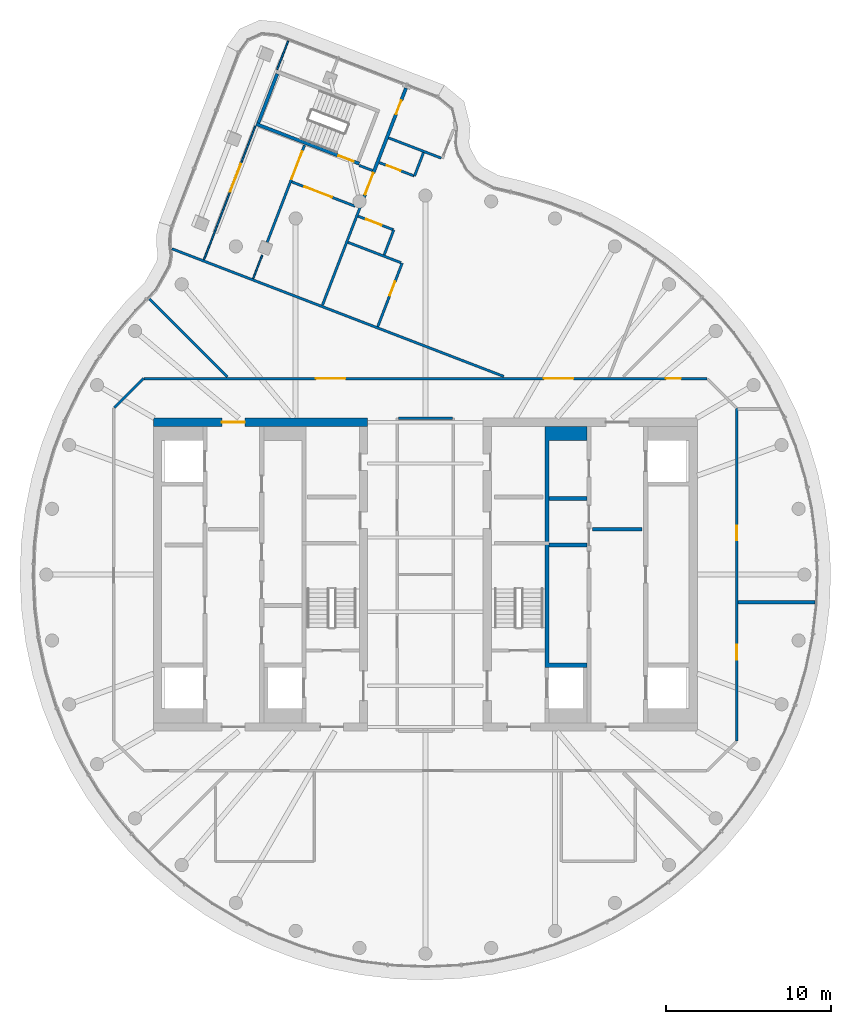
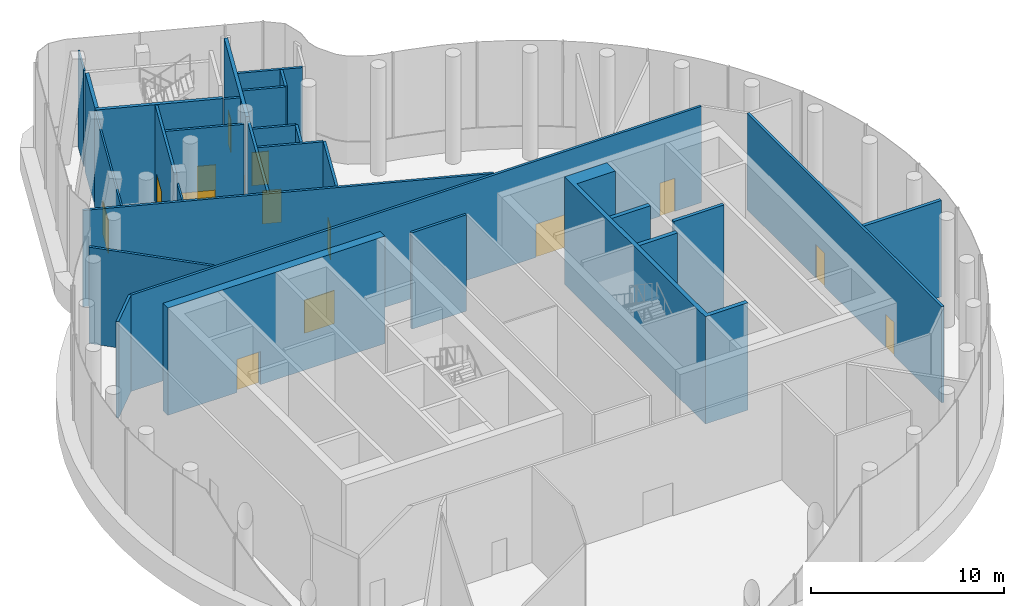
# One storey, part 10 of 12: 29 walls, 15 doors, 15 openings.
"""IFC4 building model written with IfcOpenShell, lengths in metres."""

from ifc_helpers import new_model, si_unit, direction, frame, frame_2d, origin, place, context, subcontext, project, spatial, polyline, rectangle, outline, extrude, material, layer, layer_set, type_object, element, fill, save


model = new_model("IFC4")

# Units and contexts
model_context = context("Model", 3, precision=1e-05, world=origin(), true_north=direction((0.0, 1.0)))
body_context = subcontext(model_context, "Body", "Model", "MODEL_VIEW")
ifc_project = project(units=[si_unit("LENGTHUNIT", "METRE"), si_unit("AREAUNIT", "SQUARE_METRE"), si_unit("VOLUMEUNIT", "CUBIC_METRE"), si_unit("PLANEANGLEUNIT", "RADIAN"), si_unit("MASSUNIT", "GRAM", prefix="KILO")], contexts=[model_context])

# Site, building, storey
site_placement = place(None, origin())
site = spatial("IfcSite", under=ifc_project, at=site_placement, CompositionType="ELEMENT")
building_placement = place(site_placement, origin())
building = spatial("IfcBuilding", under=site, at=building_placement, Name="Tamarind Cross Interchange Tower", CompositionType="ELEMENT")
storey_placement = place(building_placement, frame((0.0, 0.0, 287.39990234375)))
storey = spatial("IfcBuildingStorey", under=building, at=storey_placement, Name="L72", CompositionType="ELEMENT", Elevation=287.39990234375)

# Wall, opening, door
ifc_material_1 = material(Name="Concrete C50", Category="concrete")
ifc_layer_1 = layer(ifc_material_1, 0.5)
ifc_layer_set_1 = layer_set([ifc_layer_1], Name="Concrete C50")
wall_type_1 = type_object("IfcWallType", Name="Core wall 500 mm Concrete C50", PredefinedType="SHEAR", material=ifc_layer_set_1)
wall_1_placement = place(storey_placement, frame((-16.5, 9.25, 0.0), z_axis=(0.0, 0.0, 1.0), x_axis=(1.0, 0.0, 0.0)))
wall_1 = element("IfcWall", 1, at=wall_1_placement, inside=storey, type_object=wall_type_1, Name="Core wall CWL-L72-W-N", PredefinedType="SHEAR", context=body_context, shape_type="SweptSolid", body=[
    extrude(rectangle(XDim=13.0, YDim=0.5, at=frame_2d((6.5, 0.0))), origin(), (0.0, 0.0, 1.0), 6.800048828125),
])
opening_1_placement = place(wall_1_placement, frame((4.14990234375, 0.0, 0.0)))
opening_1 = element("IfcOpeningElement", 2, at=opening_1_placement, cuts=wall_1, Name="Opening DCW3", PredefinedType="OPENING", context=body_context, shape_type="SweptSolid", body=[
    extrude(rectangle(XDim=1.39990234375, YDim=2.10009765625, at=frame_2d((0.699951171875, 1.050048828125))), frame((0.0, 0.260009765625, 0.0), z_axis=(0.0, -1.0, 0.0), x_axis=(1.0, 0.0, 0.0)), (0.0, 0.0, 1.0), 0.52001953125),
])
ifc_material_2 = material(Name="Steel, fire-resisting", Category="steel")
door_type_1 = type_object("IfcDoorType", Name="Core fire door 1400 x 2100 FD90", OperationType="SINGLE_SWING_LEFT", PredefinedType="DOOR", material=ifc_material_2)
door_1_placement = place(opening_1_placement, origin())
door_1 = element("IfcDoor", 3, at=door_1_placement, inside=storey, type_object=door_type_1, Name="L72 observation lobby door", OperationType="SINGLE_SWING_LEFT", OverallHeight=2.10009765625, OverallWidth=1.39990234375, PredefinedType="DOOR", context=body_context, shape_type="SweptSolid", body=[
    extrude(rectangle(XDim=1.39990234375, YDim=2.10009765625, at=frame_2d((0.699951171875, 1.050048828125))), frame((0.0, 0.02490234375, 0.0), z_axis=(0.0, -1.0, 0.0), x_axis=(1.0, 0.0, 0.0)), (0.0, 0.0, 1.0), 0.050048828125),
])
fill(opening_1, door_1)

# Wall
ifc_layer_2 = layer(ifc_material_1, 0.25)
ifc_layer_set_2 = layer_set([ifc_layer_2], Name="Concrete C50")
wall_type_2 = type_object("IfcWallType", Name="Core web wall 250 mm Concrete C50", PredefinedType="SHEAR", material=ifc_layer_set_2)
wall_2_placement = place(storey_placement, origin())
element("IfcWall", 4, at=wall_2_placement, inside=storey, type_object=wall_type_2, Name="Core wall CWL-L72-E-BN", PredefinedType="SHEAR", context=body_context, shape_type="SweptSolid", body=[
    extrude(outline(polyline([(9.800048828125, -5.625), (9.800048828125, -5.375), (7.5, -5.375), (7.5, 8.125), (9.800048828125, 8.125), (9.800048828125, 9.0), (7.5, 9.0), (7.25, 9.0), (7.25, -5.625), (7.5, -5.625), (9.800048828125, -5.625)])), origin(), (0.0, 0.0, 1.0), 6.800048828125),
])

# Wall, opening, door
ifc_material_3 = material(Name="Gypsum board partition on steel studs", Category="steel")
ifc_layer_3 = layer(ifc_material_3, 0.10009765625)
ifc_layer_set_3 = layer_set([ifc_layer_3], Name="Gypsum board partition on steel studs")
wall_type_3 = type_object("IfcWallType", Name="Partition 100 mm EI 90", PredefinedType="PARTITIONING", material=ifc_layer_set_3)
wall_3_placement = place(storey_placement, frame((-13.433349609375, 19.110595703125, 0.0), z_axis=(0.0, 0.0, 1.0), x_axis=(0.359078974294, 0.933307178918, 0.0)))
wall_3 = element("IfcWall", 5, at=wall_3_placement, inside=storey, type_object=wall_type_3, Name="Partition L72-025", PredefinedType="PARTITIONING", context=body_context, shape_type="SweptSolid", body=[
    extrude(rectangle(XDim=8.6796875, YDim=0.10009765625, at=frame_2d((4.33984375, 0.0))), origin(), (0.0, 0.0, 1.0), 6.10009765625),
])
opening_2_placement = place(wall_3_placement, frame((4.419921875, 0.0, 0.0)))
opening_2 = element("IfcOpeningElement", 6, at=opening_2_placement, cuts=wall_3, Name="Opening D11", PredefinedType="OPENING", context=body_context, shape_type="SweptSolid", body=[
    extrude(rectangle(XDim=1.800048828125, YDim=2.10009765625, at=frame_2d((0.89990234375, 1.050048828125))), frame((0.0, 0.06005859375, 0.0), z_axis=(0.0, -1.0, 0.0), x_axis=(1.0, 0.0, 0.0)), (0.0, 0.0, 1.0), 0.1201171875),
])
ifc_material_4 = material(Name="Fire-resisting door set")
door_type_2 = type_object("IfcDoorType", Name="Interior door 1800 x 2100 FD60S", OperationType="DOUBLE_DOOR_SINGLE_SWING", PredefinedType="DOOR", material=ifc_material_4)
door_2_placement = place(opening_2_placement, origin())
door_2 = element("IfcDoor", 7, at=door_2_placement, inside=storey, type_object=door_type_2, Name="Door D11", OperationType="DOUBLE_DOOR_SINGLE_SWING", OverallHeight=2.10009765625, OverallWidth=1.800048828125, PredefinedType="DOOR", context=body_context, shape_type="SweptSolid", body=[
    extrude(rectangle(XDim=1.800048828125, YDim=2.10009765625, at=frame_2d((0.89990234375, 1.050048828125))), frame((0.0, 0.02490234375, 0.0), z_axis=(0.0, -1.0, 0.0), x_axis=(1.0, 0.0, 0.0)), (0.0, 0.0, 1.0), 0.050048828125),
])
fill(opening_2, door_2)

# Walls
wall_4_placement = place(storey_placement, frame((-8.9951171875, 30.646240234375, 0.0), z_axis=(0.0, 0.0, 1.0), x_axis=(0.358996677254, 0.933338837572, 0.0)))
element("IfcWall", 8, at=wall_4_placement, inside=storey, type_object=wall_type_3, Name="Partition L72-026", PredefinedType="PARTITIONING", context=body_context, shape_type="SweptSolid", body=[
    extrude(rectangle(XDim=1.859375, YDim=0.10009765625, at=frame_2d((0.9296875, 0.0))), origin(), (0.0, 0.0, 1.0), 6.10009765625),
])
wall_5_placement = place(storey_placement, frame((-10.4462890625, 17.961669921875, 0.0), z_axis=(0.0, 0.0, 1.0), x_axis=(0.359075840583, 0.933308384571, 0.0)))
element("IfcWall", 9, at=wall_5_placement, inside=storey, type_object=wall_type_3, Name="Partition L72-027", PredefinedType="PARTITIONING", context=body_context, shape_type="SweptSolid", body=[
    extrude(rectangle(XDim=1.521728515625, YDim=0.10009765625, at=frame_2d((0.7607421875, 0.0))), origin(), (0.0, 0.0, 1.0), 6.10009765625),
])
ifc_layer_4 = layer(ifc_material_3, 0.14990234375)
ifc_layer_set_4 = layer_set([ifc_layer_4], Name="Gypsum board partition on steel studs")
wall_type_4 = type_object("IfcWallType", Name="Partition 150 mm EI 120", PredefinedType="PARTITIONING", material=ifc_layer_set_4)
wall_6_placement = place(storey_placement, frame((-16.7412109375, 16.7412109375, 0.0), z_axis=(0.0, 0.0, 1.0), x_axis=(0.707106781187, -0.707106781187, 0.0)))
element("IfcWall", 10, at=wall_6_placement, inside=storey, type_object=wall_type_4, Name="Partition L72-002", PredefinedType="PARTITIONING", context=body_context, shape_type="SweptSolid", body=[
    extrude(rectangle(XDim=6.691650390625, YDim=0.14990234375, at=frame_2d((3.345703125, 0.0))), origin(), (0.0, 0.0, 1.0), 6.10009765625),
])
wall_7_placement = place(storey_placement, frame((-15.381103515625, 19.774658203125, 0.0), z_axis=(0.0, 0.0, 1.0), x_axis=(0.933309154951, -0.359073838206, 0.0)))
element("IfcWall", 11, at=wall_7_placement, inside=storey, type_object=wall_type_4, Name="Partition L72-005", PredefinedType="PARTITIONING", context=body_context, shape_type="SweptSolid", body=[
    extrude(rectangle(XDim=21.58056640625, YDim=0.14990234375, at=frame_2d((10.790283203125, 0.0))), origin(), (0.0, 0.0, 1.0), 6.10009765625),
])

# Wall, opening, door
wall_8_placement = place(storey_placement, frame((-8.10693359375, 23.8330078125, 0.0), z_axis=(0.0, 0.0, 1.0), x_axis=(0.933371527791, -0.358911675916, 0.0)))
wall_8 = element("IfcWall", 12, at=wall_8_placement, inside=storey, type_object=wall_type_4, Name="Partition L72-006", PredefinedType="PARTITIONING", context=body_context, shape_type="SweptSolid", body=[
    extrude(rectangle(XDim=4.126220703125, YDim=0.14990234375, at=frame_2d((2.06298828125, 0.0))), origin(), (0.0, 0.0, 1.0), 6.10009765625),
])
opening_3_placement = place(wall_8_placement, frame((0.824951171875, 0.0, 0.0)))
opening_3 = element("IfcOpeningElement", 13, at=opening_3_placement, cuts=wall_8, Name="Opening D01", PredefinedType="OPENING", context=body_context, shape_type="SweptSolid", body=[
    extrude(rectangle(XDim=1.800048828125, YDim=2.10009765625, at=frame_2d((0.89990234375, 1.050048828125))), frame((0.0, 0.0849609375, 0.0), z_axis=(0.0, -1.0, 0.0), x_axis=(1.0, 0.0, 0.0)), (0.0, 0.0, 1.0), 0.169921875),
])
door_3_placement = place(opening_3_placement, frame((1.800048828125, 0.0, 0.0), z_axis=(0.0, 0.0, 1.0), x_axis=(-1.0, 0.0, 0.0)))
door_3 = element("IfcDoor", 14, at=door_3_placement, inside=storey, type_object=door_type_2, Name="Door D01", OperationType="DOUBLE_DOOR_SINGLE_SWING", OverallHeight=2.10009765625, OverallWidth=1.800048828125, PredefinedType="DOOR", context=body_context, shape_type="SweptSolid", body=[
    extrude(rectangle(XDim=1.800048828125, YDim=2.10009765625, at=frame_2d((0.89990234375, 1.050048828125))), frame((0.0, 0.02490234375, 0.0), z_axis=(0.0, -1.0, 0.0), x_axis=(1.0, 0.0, 0.0)), (0.0, 0.0, 1.0), 0.050048828125),
])
fill(opening_3, door_3)

# Wall
wall_9_placement = place(storey_placement, frame((-4.697021484375, 20.1640625, 0.0), z_axis=(0.0, 0.0, 1.0), x_axis=(0.933325536288, -0.359031256735, 0.0)))
element("IfcWall", 15, at=wall_9_placement, inside=storey, type_object=wall_type_4, Name="Partition L72-007", PredefinedType="PARTITIONING", context=body_context, shape_type="SweptSolid", body=[
    extrude(rectangle(XDim=3.448974609375, YDim=0.14990234375, at=frame_2d((1.724609375, 0.0))), origin(), (0.0, 0.0, 1.0), 6.10009765625),
])

# Wall, opening, door
wall_10_placement = place(storey_placement, frame((-4.082275390625, 21.749267578125, 0.0), z_axis=(0.0, 0.0, 1.0), x_axis=(0.933258033254, -0.359206686139, 0.0)))
wall_10 = element("IfcWall", 16, at=wall_10_placement, inside=storey, type_object=wall_type_4, Name="Partition L72-008", PredefinedType="PARTITIONING", context=body_context, shape_type="SweptSolid", body=[
    extrude(rectangle(XDim=2.300048828125, YDim=0.14990234375, at=frame_2d((1.14990234375, 0.0))), origin(), (0.0, 0.0, 1.0), 6.10009765625),
])
opening_4_placement = place(wall_10_placement, frame((0.52001953125, 0.0, 0.0)))
opening_4 = element("IfcOpeningElement", 17, at=opening_4_placement, cuts=wall_10, Name="Opening D02", PredefinedType="OPENING", context=body_context, shape_type="SweptSolid", body=[
    extrude(rectangle(XDim=1.0, YDim=2.10009765625, at=frame_2d((0.5, 1.050048828125))), frame((0.0, 0.0849609375, 0.0), z_axis=(0.0, -1.0, 0.0), x_axis=(1.0, 0.0, 0.0)), (0.0, 0.0, 1.0), 0.169921875),
])
door_type_3 = type_object("IfcDoorType", Name="Interior door 1000 x 2100 FD60S", OperationType="SINGLE_SWING_LEFT", PredefinedType="DOOR", material=ifc_material_4)
door_4_placement = place(opening_4_placement, frame((1.0, 0.0, 0.0), z_axis=(0.0, 0.0, 1.0), x_axis=(-1.0, 0.0, 0.0)))
door_4 = element("IfcDoor", 18, at=door_4_placement, inside=storey, type_object=door_type_3, Name="Door D02", OperationType="SINGLE_SWING_LEFT", OverallHeight=2.10009765625, OverallWidth=1.0, PredefinedType="DOOR", context=body_context, shape_type="SweptSolid", body=[
    extrude(rectangle(XDim=1.0, YDim=2.10009765625, at=frame_2d((0.5, 1.050048828125))), frame((0.0, 0.02490234375, 0.0), z_axis=(0.0, -1.0, 0.0), x_axis=(1.0, 0.0, 0.0)), (0.0, 0.0, 1.0), 0.050048828125),
])
fill(opening_4, door_4)

# Wall
wall_11_placement = place(storey_placement, frame((-4.01171875, 24.82861328125, 0.0), z_axis=(0.0, 0.0, 1.0), x_axis=(0.933367559917, -0.358921994443, 0.0)))
element("IfcWall", 19, at=wall_11_placement, inside=storey, type_object=wall_type_4, Name="Partition L72-009", PredefinedType="PARTITIONING", context=body_context, shape_type="SweptSolid", body=[
    extrude(rectangle(XDim=0.85986328125, YDim=0.14990234375, at=frame_2d((0.429931640625, 0.0))), origin(), (0.0, 0.0, 1.0), 6.10009765625),
])

# Wall, opening, door
wall_12_placement = place(storey_placement, frame((-2.802001953125, 25.00634765625, 0.0), z_axis=(0.0, 0.0, 1.0), x_axis=(0.933417507209, -0.358792080787, 0.0)))
wall_12 = element("IfcWall", 20, at=wall_12_placement, inside=storey, type_object=wall_type_4, Name="Partition L72-010", PredefinedType="PARTITIONING", context=body_context, shape_type="SweptSolid", body=[
    extrude(rectangle(XDim=2.274658203125, YDim=0.14990234375, at=frame_2d((1.13720703125, 0.0))), origin(), (0.0, 0.0, 1.0), 6.10009765625),
])
opening_5_placement = place(wall_12_placement, frame((0.4951171875, 0.0, 0.0)))
opening_5 = element("IfcOpeningElement", 21, at=opening_5_placement, cuts=wall_12, Name="Opening D03", PredefinedType="OPENING", context=body_context, shape_type="SweptSolid", body=[
    extrude(rectangle(XDim=0.89990234375, YDim=2.10009765625, at=frame_2d((0.449951171875, 1.050048828125))), frame((0.0, 0.0849609375, 0.0), z_axis=(0.0, -1.0, 0.0), x_axis=(1.0, 0.0, 0.0)), (0.0, 0.0, 1.0), 0.169921875),
])
door_type_4 = type_object("IfcDoorType", Name="Interior door 900 x 2100 FD60S", OperationType="SINGLE_SWING_LEFT", PredefinedType="DOOR", material=ifc_material_4)
door_5_placement = place(opening_5_placement, origin())
door_5 = element("IfcDoor", 22, at=door_5_placement, inside=storey, type_object=door_type_4, Name="Door D03", OperationType="SINGLE_SWING_RIGHT", OverallHeight=2.10009765625, OverallWidth=0.89990234375, PredefinedType="DOOR", context=body_context, shape_type="SweptSolid", body=[
    extrude(rectangle(XDim=0.89990234375, YDim=2.10009765625, at=frame_2d((0.449951171875, 1.050048828125))), frame((0.0, 0.02490234375, 0.0), z_axis=(0.0, -1.0, 0.0), x_axis=(1.0, 0.0, 0.0)), (0.0, 0.0, 1.0), 0.050048828125),
])
fill(opening_5, door_5)

# Wall
wall_13_placement = place(storey_placement, frame((-2.22802734375, 26.500244140625, 0.0), z_axis=(0.0, 0.0, 1.0), x_axis=(0.933277417712, -0.359156319156, 0.0)))
element("IfcWall", 23, at=wall_13_placement, inside=storey, type_object=wall_type_4, Name="Partition L72-011", PredefinedType="PARTITIONING", context=body_context, shape_type="SweptSolid", body=[
    extrude(rectangle(XDim=3.4150390625, YDim=0.14990234375, at=frame_2d((1.70751953125, 0.0))), origin(), (0.0, 0.0, 1.0), 6.10009765625),
])

# Wall, openings, doors
wall_14_placement = place(storey_placement, frame((-17.06494140625, 11.89990234375, 0.0), z_axis=(0.0, 0.0, 1.0), x_axis=(1.0, 0.0, 0.0)))
wall_14 = element("IfcWall", 24, at=wall_14_placement, inside=storey, type_object=wall_type_4, Name="Partition L72-013", PredefinedType="PARTITIONING", context=body_context, shape_type="SweptSolid", body=[
    extrude(rectangle(XDim=34.1650390625, YDim=0.14990234375, at=frame_2d((17.08251953125, 0.0))), origin(), (0.0, 0.0, 1.0), 6.10009765625),
])
opening_6_placement = place(wall_14_placement, frame((24.251953125, 0.0, 0.0)))
opening_6 = element("IfcOpeningElement", 25, at=opening_6_placement, cuts=wall_14, Name="Opening D08", PredefinedType="OPENING", context=body_context, shape_type="SweptSolid", body=[
    extrude(rectangle(XDim=1.800048828125, YDim=2.10009765625, at=frame_2d((0.89990234375, 1.050048828125))), frame((0.0, 0.0849609375, 0.0), z_axis=(0.0, -1.0, 0.0), x_axis=(1.0, 0.0, 0.0)), (0.0, 0.0, 1.0), 0.169921875),
])
opening_7_placement = place(wall_14_placement, frame((31.6650390625, 0.0, 0.0)))
opening_7 = element("IfcOpeningElement", 26, at=opening_7_placement, cuts=wall_14, Name="Opening D09", PredefinedType="OPENING", context=body_context, shape_type="SweptSolid", body=[
    extrude(rectangle(XDim=0.89990234375, YDim=2.10009765625, at=frame_2d((0.449951171875, 1.050048828125))), frame((0.0, 0.0849609375, 0.0), z_axis=(0.0, -1.0, 0.0), x_axis=(1.0, 0.0, 0.0)), (0.0, 0.0, 1.0), 0.169921875),
])
opening_8_placement = place(wall_14_placement, frame((10.4150390625, 0.0, 0.0)))
opening_8 = element("IfcOpeningElement", 27, at=opening_8_placement, cuts=wall_14, Name="Opening D10", PredefinedType="OPENING", context=body_context, shape_type="SweptSolid", body=[
    extrude(rectangle(XDim=1.800048828125, YDim=2.10009765625, at=frame_2d((0.89990234375, 1.050048828125))), frame((0.0, 0.0849609375, 0.0), z_axis=(0.0, -1.0, 0.0), x_axis=(1.0, 0.0, 0.0)), (0.0, 0.0, 1.0), 0.169921875),
])
door_6_placement = place(opening_6_placement, frame((1.800048828125, 0.0, 0.0), z_axis=(0.0, 0.0, 1.0), x_axis=(-1.0, 0.0, 0.0)))
door_6 = element("IfcDoor", 28, at=door_6_placement, inside=storey, type_object=door_type_2, Name="Door D08", OperationType="DOUBLE_DOOR_SINGLE_SWING", OverallHeight=2.10009765625, OverallWidth=1.800048828125, PredefinedType="DOOR", context=body_context, shape_type="SweptSolid", body=[
    extrude(rectangle(XDim=1.800048828125, YDim=2.10009765625, at=frame_2d((0.89990234375, 1.050048828125))), frame((0.0, 0.02490234375, 0.0), z_axis=(0.0, -1.0, 0.0), x_axis=(1.0, 0.0, 0.0)), (0.0, 0.0, 1.0), 0.050048828125),
])
fill(opening_6, door_6)
door_7_placement = place(opening_8_placement, origin())
door_7 = element("IfcDoor", 29, at=door_7_placement, inside=storey, type_object=door_type_2, Name="Door D10", OperationType="DOUBLE_DOOR_SINGLE_SWING", OverallHeight=2.10009765625, OverallWidth=1.800048828125, PredefinedType="DOOR", context=body_context, shape_type="SweptSolid", body=[
    extrude(rectangle(XDim=1.800048828125, YDim=2.10009765625, at=frame_2d((0.89990234375, 1.050048828125))), frame((0.0, 0.02490234375, 0.0), z_axis=(0.0, -1.0, 0.0), x_axis=(1.0, 0.0, 0.0)), (0.0, 0.0, 1.0), 0.050048828125),
])
fill(opening_8, door_7)
door_8_placement = place(opening_7_placement, origin())
door_8 = element("IfcDoor", 30, at=door_8_placement, inside=storey, type_object=door_type_4, Name="Door D09", OperationType="SINGLE_SWING_LEFT", OverallHeight=2.10009765625, OverallWidth=0.89990234375, PredefinedType="DOOR", context=body_context, shape_type="SweptSolid", body=[
    extrude(rectangle(XDim=0.89990234375, YDim=2.10009765625, at=frame_2d((0.449951171875, 1.050048828125))), frame((0.0, 0.02490234375, 0.0), z_axis=(0.0, -1.0, 0.0), x_axis=(1.0, 0.0, 0.0)), (0.0, 0.0, 1.0), 0.050048828125),
])
fill(opening_7, door_8)

# Walls
wall_15_placement = place(storey_placement, frame((-1.639892578125, 9.5, 0.0), z_axis=(0.0, 0.0, 1.0), x_axis=(1.0, 0.0, 0.0)))
element("IfcWall", 31, at=wall_15_placement, inside=storey, type_object=wall_type_4, Name="Partition L72-018", PredefinedType="PARTITIONING", context=body_context, shape_type="SweptSolid", body=[
    extrude(rectangle(XDim=3.27978515625, YDim=0.14990234375, at=frame_2d((1.639892578125, 0.0))), origin(), (0.0, 0.0, 1.0), 6.10009765625),
])
wall_16_placement = place(storey_placement, frame((-18.87158203125, 10.12841796875, 0.0), z_axis=(0.0, 0.0, 1.0), x_axis=(0.707106781187, 0.707106781187, 0.0)))
element("IfcWall", 32, at=wall_16_placement, inside=storey, type_object=wall_type_4, Name="Partition L72-021", PredefinedType="PARTITIONING", context=body_context, shape_type="SweptSolid", body=[
    extrude(rectangle(XDim=2.50537109375, YDim=0.14990234375, at=frame_2d((1.252685546875, 0.0))), origin(), (0.0, 0.0, 1.0), 6.10009765625),
])

# Wall, opening, door
wall_17_placement = place(storey_placement, frame((-9.599853515625, 20.16162109375, 0.0), z_axis=(0.0, 0.0, 1.0), x_axis=(0.359061876812, 0.933313756794, 0.0)))
wall_17 = element("IfcWall", 33, at=wall_17_placement, inside=storey, type_object=wall_type_4, Name="Partition L72-028", PredefinedType="PARTITIONING", context=body_context, shape_type="SweptSolid", body=[
    extrude(rectangle(XDim=6.32275390625, YDim=0.14990234375, at=frame_2d((3.161376953125, 0.0))), origin(), (0.0, 0.0, 1.0), 6.10009765625),
])
opening_9_placement = place(wall_17_placement, frame((4.11279296875, 0.0, 0.0)))
opening_9 = element("IfcOpeningElement", 34, at=opening_9_placement, cuts=wall_17, Name="Opening D12", PredefinedType="OPENING", context=body_context, shape_type="SweptSolid", body=[
    extrude(rectangle(XDim=1.800048828125, YDim=2.10009765625, at=frame_2d((0.89990234375, 1.050048828125))), frame((0.0, 0.0849609375, 0.0), z_axis=(0.0, -1.0, 0.0), x_axis=(1.0, 0.0, 0.0)), (0.0, 0.0, 1.0), 0.169921875),
])
door_9_placement = place(opening_9_placement, origin())
door_9 = element("IfcDoor", 35, at=door_9_placement, inside=storey, type_object=door_type_2, Name="Door D12", OperationType="DOUBLE_DOOR_SINGLE_SWING", OverallHeight=2.10009765625, OverallWidth=1.800048828125, PredefinedType="DOOR", context=body_context, shape_type="SweptSolid", body=[
    extrude(rectangle(XDim=1.800048828125, YDim=2.10009765625, at=frame_2d((0.89990234375, 1.050048828125))), frame((0.0, 0.02490234375, 0.0), z_axis=(0.0, -1.0, 0.0), x_axis=(1.0, 0.0, 0.0)), (0.0, 0.0, 1.0), 0.050048828125),
])
fill(opening_9, door_9)

# Wall
wall_18_placement = place(storey_placement, frame((-6.247314453125, 16.345703125, 0.0), z_axis=(0.0, 0.0, 1.0), x_axis=(0.359265090685, 0.933235551517, 0.0)))
element("IfcWall", 36, at=wall_18_placement, inside=storey, type_object=wall_type_4, Name="Partition L72-030", PredefinedType="PARTITIONING", context=body_context, shape_type="SweptSolid", body=[
    extrude(rectangle(XDim=6.463134765625, YDim=0.14990234375, at=frame_2d((3.2314453125, 0.0))), origin(), (0.0, 0.0, 1.0), 6.10009765625),
])

# Wall, opening, door
wall_19_placement = place(storey_placement, frame((-2.88916015625, 15.049072265625, 0.0), z_axis=(0.0, 0.0, 1.0), x_axis=(0.359082195205, 0.933305939704, 0.0)))
wall_19 = element("IfcWall", 37, at=wall_19_placement, inside=storey, type_object=wall_type_4, Name="Partition L72-032", PredefinedType="PARTITIONING", context=body_context, shape_type="SweptSolid", body=[
    extrude(rectangle(XDim=4.125, YDim=0.14990234375, at=frame_2d((2.0625, 0.0))), origin(), (0.0, 0.0, 1.0), 6.10009765625),
])
opening_10_placement = place(wall_19_placement, frame((2.02490234375, 0.0, 0.0)))
opening_10 = element("IfcOpeningElement", 38, at=opening_10_placement, cuts=wall_19, Name="Opening D15", PredefinedType="OPENING", context=body_context, shape_type="SweptSolid", body=[
    extrude(rectangle(XDim=0.89990234375, YDim=2.10009765625, at=frame_2d((0.449951171875, 1.050048828125))), frame((0.0, 0.0849609375, 0.0), z_axis=(0.0, -1.0, 0.0), x_axis=(1.0, 0.0, 0.0)), (0.0, 0.0, 1.0), 0.169921875),
])
door_10_placement = place(opening_10_placement, origin())
door_10 = element("IfcDoor", 39, at=door_10_placement, inside=storey, type_object=door_type_4, Name="Door D15", OperationType="SINGLE_SWING_LEFT", OverallHeight=2.10009765625, OverallWidth=0.89990234375, PredefinedType="DOOR", context=body_context, shape_type="SweptSolid", body=[
    extrude(rectangle(XDim=0.89990234375, YDim=2.10009765625, at=frame_2d((0.449951171875, 1.050048828125))), frame((0.0, 0.02490234375, 0.0), z_axis=(0.0, -1.0, 0.0), x_axis=(1.0, 0.0, 0.0)), (0.0, 0.0, 1.0), 0.050048828125),
])
fill(opening_10, door_10)

# Walls
wall_20_placement = place(storey_placement, frame((-2.5, 19.39990234375, 0.0), z_axis=(0.0, 0.0, 1.0), x_axis=(0.358918648281, 0.93336884666, 0.0)))
element("IfcWall", 40, at=wall_20_placement, inside=storey, type_object=wall_type_4, Name="Partition L72-034", PredefinedType="PARTITIONING", context=body_context, shape_type="SweptSolid", body=[
    extrude(rectangle(XDim=1.624267578125, YDim=0.14990234375, at=frame_2d((0.81201171875, 0.0))), origin(), (0.0, 0.0, 1.0), 6.10009765625),
])
wall_21_placement = place(storey_placement, frame((-0.660400390625, 24.18310546875, 0.0), z_axis=(0.0, 0.0, 1.0), x_axis=(0.358989808999, 0.933341479328, 0.0)))
element("IfcWall", 41, at=wall_21_placement, inside=storey, type_object=wall_type_4, Name="Partition L72-035", PredefinedType="PARTITIONING", context=body_context, shape_type="SweptSolid", body=[
    extrude(rectangle(XDim=1.524658203125, YDim=0.14990234375, at=frame_2d((0.76220703125, 0.0))), origin(), (0.0, 0.0, 1.0), 6.10009765625),
])

# Wall, openings, doors
wall_22_placement = place(storey_placement, frame((18.89990234375, -10.10009765625, 0.0), z_axis=(0.0, 0.0, 1.0), x_axis=(0.0, 1.0, 0.0)))
wall_22 = element("IfcWall", 42, at=wall_22_placement, inside=storey, type_object=wall_type_4, Name="Partition L72-044", PredefinedType="PARTITIONING", context=body_context, shape_type="SweptSolid", body=[
    extrude(rectangle(XDim=20.2001953125, YDim=0.14990234375, at=frame_2d((10.10009765625, 0.0))), origin(), (0.0, 0.0, 1.0), 6.10009765625),
])
opening_11_placement = place(wall_22_placement, frame((4.949951171875, 0.0, 0.0)))
opening_11 = element("IfcOpeningElement", 43, at=opening_11_placement, cuts=wall_22, Name="Opening D20", PredefinedType="OPENING", context=body_context, shape_type="SweptSolid", body=[
    extrude(rectangle(XDim=0.89990234375, YDim=2.10009765625, at=frame_2d((0.449951171875, 1.050048828125))), frame((0.0, 0.0849609375, 0.0), z_axis=(0.0, -1.0, 0.0), x_axis=(1.0, 0.0, 0.0)), (0.0, 0.0, 1.0), 0.169921875),
])
opening_12_placement = place(wall_22_placement, frame((12.176025390625, 0.0, 0.0)))
opening_12 = element("IfcOpeningElement", 44, at=opening_12_placement, cuts=wall_22, Name="Opening D21", PredefinedType="OPENING", context=body_context, shape_type="SweptSolid", body=[
    extrude(rectangle(XDim=0.89990234375, YDim=2.10009765625, at=frame_2d((0.449951171875, 1.050048828125))), frame((0.0, 0.0849609375, 0.0), z_axis=(0.0, -1.0, 0.0), x_axis=(1.0, 0.0, 0.0)), (0.0, 0.0, 1.0), 0.169921875),
])
door_11_placement = place(opening_11_placement, frame((0.89990234375, 0.0, 0.0), z_axis=(0.0, 0.0, 1.0), x_axis=(-1.0, 0.0, 0.0)))
door_11 = element("IfcDoor", 45, at=door_11_placement, inside=storey, type_object=door_type_4, Name="Door D20", OperationType="SINGLE_SWING_LEFT", OverallHeight=2.10009765625, OverallWidth=0.89990234375, PredefinedType="DOOR", context=body_context, shape_type="SweptSolid", body=[
    extrude(rectangle(XDim=0.89990234375, YDim=2.10009765625, at=frame_2d((0.449951171875, 1.050048828125))), frame((0.0, 0.02490234375, 0.0), z_axis=(0.0, -1.0, 0.0), x_axis=(1.0, 0.0, 0.0)), (0.0, 0.0, 1.0), 0.050048828125),
])
fill(opening_11, door_11)
door_12_placement = place(opening_12_placement, frame((0.89990234375, 0.0, 0.0), z_axis=(0.0, 0.0, 1.0), x_axis=(-1.0, 0.0, 0.0)))
door_12 = element("IfcDoor", 46, at=door_12_placement, inside=storey, type_object=door_type_4, Name="Door D21", OperationType="SINGLE_SWING_RIGHT", OverallHeight=2.10009765625, OverallWidth=0.89990234375, PredefinedType="DOOR", context=body_context, shape_type="SweptSolid", body=[
    extrude(rectangle(XDim=0.89990234375, YDim=2.10009765625, at=frame_2d((0.449951171875, 1.050048828125))), frame((0.0, 0.02490234375, 0.0), z_axis=(0.0, -1.0, 0.0), x_axis=(1.0, 0.0, 0.0)), (0.0, 0.0, 1.0), 0.050048828125),
])
fill(opening_12, door_12)

# Wall
ifc_layer_5 = layer(ifc_material_3, 0.199951171875)
ifc_layer_set_5 = layer_set([ifc_layer_5], Name="Gypsum board partition on steel studs")
wall_type_5 = type_object("IfcWallType", Name="Partition 200 mm EI 180", PredefinedType="PARTITIONING", material=ifc_layer_set_5)
wall_23_placement = place(storey_placement, frame((18.955078125, -1.674072265625, 0.0), z_axis=(0.0, 0.0, 1.0), x_axis=(1.0, 0.0, 0.0)))
element("IfcWall", 47, at=wall_23_placement, inside=storey, type_object=wall_type_5, Name="Partition L72-019", PredefinedType="PARTITIONING", context=body_context, shape_type="SweptSolid", body=[
    extrude(rectangle(XDim=4.673583984375, YDim=0.199951171875, at=frame_2d((2.3369140625, 0.0))), origin(), (0.0, 0.0, 1.0), 6.10009765625),
])

# Wall, openings, doors
wall_24_placement = place(storey_placement, frame((-3.763671875, 22.79736328125, 0.0), z_axis=(0.0, 0.0, 1.0), x_axis=(0.359256035464, 0.93323903743, 0.0)))
wall_24 = element("IfcWall", 48, at=wall_24_placement, inside=storey, type_object=wall_type_5, Name="Partition L72-031", PredefinedType="PARTITIONING", context=body_context, shape_type="SweptSolid", body=[
    extrude(rectangle(XDim=7.206298828125, YDim=0.199951171875, at=frame_2d((3.60302734375, 0.0))), origin(), (0.0, 0.0, 1.0), 6.10009765625),
])
opening_13_placement = place(wall_24_placement, frame((0.29150390625, 0.0, 0.0)))
opening_13 = element("IfcOpeningElement", 49, at=opening_13_placement, cuts=wall_24, Name="Opening D13", PredefinedType="OPENING", context=body_context, shape_type="SweptSolid", body=[
    extrude(rectangle(XDim=1.39990234375, YDim=2.10009765625, at=frame_2d((0.699951171875, 1.050048828125))), frame((0.0, 0.10986328125, 0.0), z_axis=(0.0, -1.0, 0.0), x_axis=(1.0, 0.0, 0.0)), (0.0, 0.0, 1.0), 0.219970703125),
])
opening_14_placement = place(wall_24_placement, frame((5.50732421875, 0.0, 0.0)))
opening_14 = element("IfcOpeningElement", 50, at=opening_14_placement, cuts=wall_24, Name="Opening D14", PredefinedType="OPENING", context=body_context, shape_type="SweptSolid", body=[
    extrude(rectangle(XDim=0.89990234375, YDim=2.10009765625, at=frame_2d((0.449951171875, 1.050048828125))), frame((0.0, 0.10986328125, 0.0), z_axis=(0.0, -1.0, 0.0), x_axis=(1.0, 0.0, 0.0)), (0.0, 0.0, 1.0), 0.219970703125),
])
door_type_5 = type_object("IfcDoorType", Name="Interior door 1400 x 2100 FD120S", OperationType="DOUBLE_DOOR_SINGLE_SWING", PredefinedType="DOOR", material=ifc_material_4)
door_13_placement = place(opening_13_placement, frame((1.39990234375, 0.0, 0.0), z_axis=(0.0, 0.0, 1.0), x_axis=(-1.0, 0.0, 0.0)))
door_13 = element("IfcDoor", 51, at=door_13_placement, inside=storey, type_object=door_type_5, Name="Door D13", OperationType="DOUBLE_DOOR_SINGLE_SWING", OverallHeight=2.10009765625, OverallWidth=1.39990234375, PredefinedType="DOOR", context=body_context, shape_type="SweptSolid", body=[
    extrude(rectangle(XDim=1.39990234375, YDim=2.10009765625, at=frame_2d((0.699951171875, 1.050048828125))), frame((0.0, 0.02490234375, 0.0), z_axis=(0.0, -1.0, 0.0), x_axis=(1.0, 0.0, 0.0)), (0.0, 0.0, 1.0), 0.050048828125),
])
fill(opening_13, door_13)
door_type_6 = type_object("IfcDoorType", Name="Interior door 900 x 2100 FD120S", OperationType="SINGLE_SWING_LEFT", PredefinedType="DOOR", material=ifc_material_4)
door_14_placement = place(opening_14_placement, origin())
door_14 = element("IfcDoor", 52, at=door_14_placement, inside=storey, type_object=door_type_6, Name="Door D14", OperationType="SINGLE_SWING_LEFT", OverallHeight=2.10009765625, OverallWidth=0.89990234375, PredefinedType="DOOR", context=body_context, shape_type="SweptSolid", body=[
    extrude(rectangle(XDim=0.89990234375, YDim=2.10009765625, at=frame_2d((0.449951171875, 1.050048828125))), frame((0.0, 0.02490234375, 0.0), z_axis=(0.0, -1.0, 0.0), x_axis=(1.0, 0.0, 0.0)), (0.0, 0.0, 1.0), 0.050048828125),
])
fill(opening_14, door_14)

# Walls
ifc_material_5 = material(Name="Concrete C40", Category="concrete")
ifc_layer_6 = layer(ifc_material_5, 0.199951171875)
ifc_layer_set_6 = layer_set([ifc_layer_6], Name="Concrete C40")
wall_type_6 = type_object("IfcWallType", Name="Shaft and lobby wall 200 mm Concrete C40", PredefinedType="PARTITIONING", material=ifc_layer_set_6)
wall_25_placement = place(storey_placement, frame((13.14990234375, 2.75, 0.0), z_axis=(0.0, 0.0, 1.0), x_axis=(-1.0, 0.0, 0.0)))
element("IfcWall", 53, at=wall_25_placement, inside=storey, type_object=wall_type_6, Name="Shaft wall CWL-L72-E-OBS", PredefinedType="PARTITIONING", context=body_context, shape_type="SweptSolid", body=[
    extrude(rectangle(XDim=3.0, YDim=0.199951171875, at=frame_2d((1.5, 0.0))), origin(), (0.0, 0.0, 1.0), 6.800048828125),
])
ifc_layer_7 = layer(ifc_material_5, 0.25)
ifc_layer_set_7 = layer_set([ifc_layer_7], Name="Concrete C40")
wall_type_7 = type_object("IfcWallType", Name="Shaft and lobby wall 250 mm Concrete C40", PredefinedType="PARTITIONING", material=ifc_layer_set_7)
for number, where, z_axis, x_axis, name in (
    (54, (9.800048828125, 1.7919921875, 0.0), (0.0, 0.0, 1.0), (-1.0, 0.0, 0.0), "Shaft wall CWL-L72-E-FPB3"),
    (55, (9.800048828125, 4.625, 0.0), (0.0, 0.0, 1.0), (-1.0, 0.0, 0.0), "Shaft wall CWL-L72-E-FPB4"),
):
    element("IfcWall", number, at=place(storey_placement, frame(where, z_axis=z_axis, x_axis=x_axis)), inside=storey, type_object=wall_type_7, Name=name, PredefinedType="PARTITIONING", context=body_context, shape_type="SweptSolid", body=[
        extrude(rectangle(XDim=2.300048828125, YDim=0.25, at=frame_2d((1.14990234375, 0.0))), origin(), (0.0, 0.0, 1.0), 6.800048828125),
    ])

# Wall, opening, door
ifc_layer_8 = layer(ifc_material_5, 0.199951171875)
ifc_layer_set_8 = layer_set([ifc_layer_8], Name="Concrete C40")
wall_type_8 = type_object("IfcWallType", Name="Stair shaft wall 200 mm Concrete C40", PredefinedType="SHEAR", material=ifc_layer_set_8)
wall_26_placement = place(storey_placement, frame((-4.01318359375, 24.936767578125, -0.199951171875), z_axis=(0.0, 0.0, 1.0), x_axis=(-0.933310853346, 0.359069423686, 0.0)))
wall_26 = element("IfcWall", 56, at=wall_26_placement, inside=storey, type_object=wall_type_8, Name="Core wall CWL-L72-ST4-H", PredefinedType="SHEAR", context=body_context, shape_type="SweptSolid", body=[
    extrude(rectangle(XDim=6.699951171875, YDim=0.199951171875, at=frame_2d((3.35009765625, 0.0))), origin(), (0.0, 0.0, 1.0), 6.300048828125),
])
opening_15_placement = place(wall_26_placement, frame((0.35009765625, 0.0, 0.0)))
opening_15 = element("IfcOpeningElement", 57, at=opening_15_placement, cuts=wall_26, Name="Opening ST4L72", PredefinedType="OPENING", context=body_context, shape_type="SweptSolid", body=[
    extrude(rectangle(XDim=1.0, YDim=2.10009765625, at=frame_2d((0.5, 1.050048828125))), frame((0.0, 0.10986328125, 0.0), z_axis=(0.0, -1.0, 0.0), x_axis=(1.0, 0.0, 0.0)), (0.0, 0.0, 1.0), 0.219970703125),
])
door_type_7 = type_object("IfcDoorType", Name="Core fire door 1000 x 2100 FD90", OperationType="SINGLE_SWING_LEFT", PredefinedType="DOOR", material=ifc_material_2)
door_15_placement = place(opening_15_placement, origin())
door_15 = element("IfcDoor", 58, at=door_15_placement, inside=storey, type_object=door_type_7, Name="L72 stair door ST4", OperationType="SINGLE_SWING_LEFT", OverallHeight=2.10009765625, OverallWidth=1.0, PredefinedType="DOOR", context=body_context, shape_type="SweptSolid", body=[
    extrude(rectangle(XDim=1.0, YDim=2.10009765625, at=frame_2d((0.5, 1.050048828125))), frame((0.0, 0.02490234375, 0.0), z_axis=(0.0, -1.0, 0.0), x_axis=(1.0, 0.0, 0.0)), (0.0, 0.0, 1.0), 0.050048828125),
])
fill(opening_15, door_15)

# Wall
wall_27_placement = place(storey_placement, frame((0.0, 0.0, -0.199951171875)))
element("IfcWall", 59, at=wall_27_placement, inside=storey, type_object=wall_type_8, Name="Core wall CWL-L72-ST4-CF", PredefinedType="SHEAR", context=body_context, shape_type="SweptSolid", body=[
    extrude(outline(polyline([(-8.894775390625, 30.3505859375), (-9.081298828125, 30.422607421875), (-10.23046875, 27.43603515625), (-10.043701171875, 27.364013671875), (-8.894775390625, 30.3505859375)])), origin(), (0.0, 0.0, 1.0), 6.300048828125),
])

save(model, "model.ifc")
